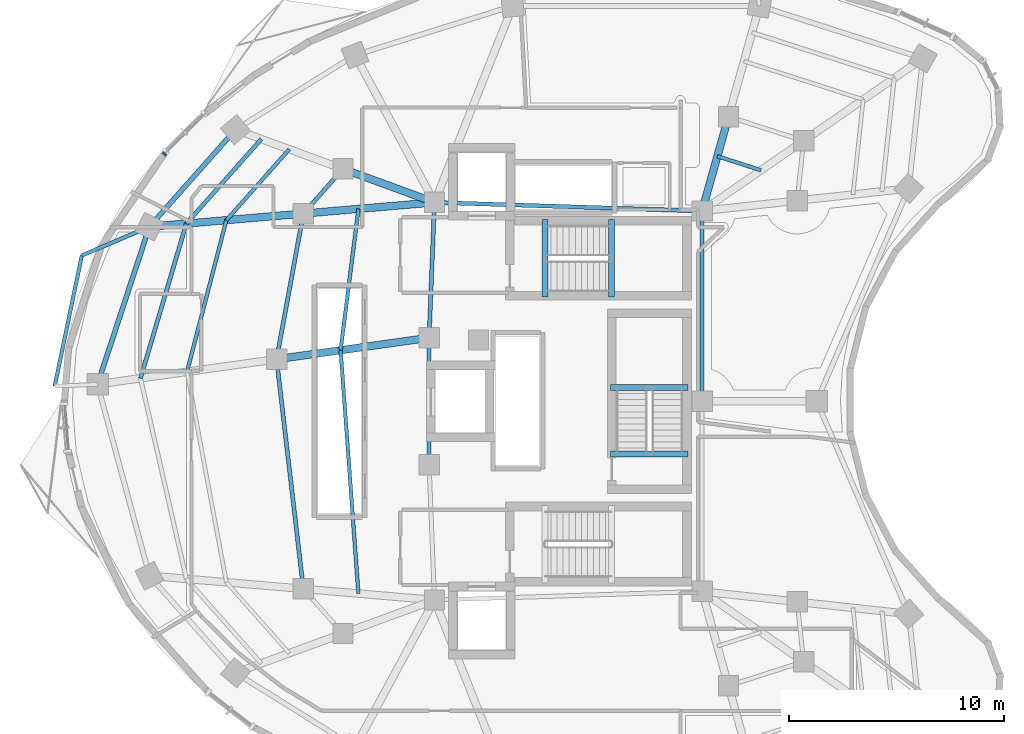
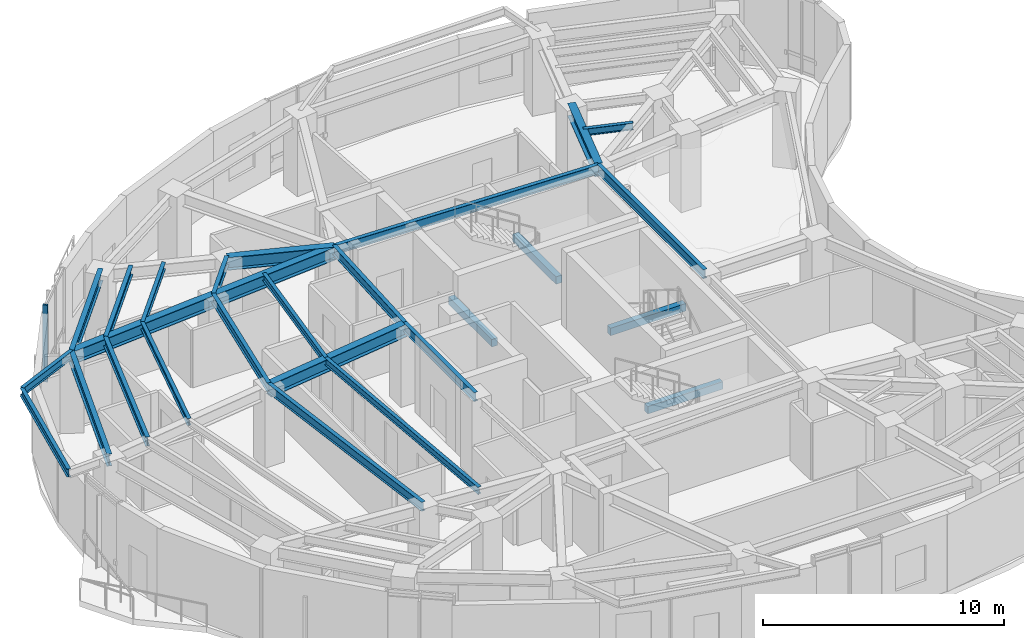
# One storey, part 3 of 13: 27 beams, 1 member, 1 element without a shape of its own.
"""IFC4 building model written with IfcOpenShell, lengths in metres."""

from ifc_helpers import new_model, si_unit, direction, frame, origin, origin_2d, place, context, subcontext, project, spatial, rectangle, i_section, extrude, material, layer, layer_set, material_profile, profile_set, type_object, element, aggregate, save


model = new_model("IFC4")

# Units and contexts
model_context = context("Model", 3, precision=1e-05, world=origin(), true_north=direction((0.0, 1.0)))
body_context = subcontext(model_context, "Body", "Model", "MODEL_VIEW")
ifc_project = project(units=[si_unit("LENGTHUNIT", "METRE"), si_unit("AREAUNIT", "SQUARE_METRE"), si_unit("VOLUMEUNIT", "CUBIC_METRE"), si_unit("PLANEANGLEUNIT", "RADIAN"), si_unit("MASSUNIT", "GRAM", prefix="KILO")], contexts=[model_context])

# Site, building, storey
site_placement = place(None, origin())
site = spatial("IfcSite", under=ifc_project, at=site_placement, CompositionType="ELEMENT")
building_placement = place(site_placement, origin())
building = spatial("IfcBuilding", under=site, at=building_placement, Name="Korentha Bioscience Tower", CompositionType="ELEMENT")
storey_placement = place(building_placement, frame((0.0, 0.0, 175.199951171875)))
storey = spatial("IfcBuildingStorey", under=building, at=storey_placement, Name="L40", CompositionType="ELEMENT", Elevation=175.199951171875)

# Beams
ifc_material_1 = material(Name="Concrete C50", Category="concrete")
ifc_material_profile_1 = material_profile(ifc_material_1, rectangle(XDim=0.280029296875, YDim=0.3798828125, at=origin_2d()), Name="Concrete C50")
ifc_profile_set_1 = profile_set([ifc_material_profile_1], Name="Concrete C50 (ST-HB380)")
beam_type_1 = type_object("IfcBeamType", Name="Concrete Stair Header Beam RC 280x380", PredefinedType="BEAM", material=ifc_profile_set_1)
for number, where, z_axis, x_axis, name in (
    (1, (30.25, 31.85009765625, -0.18994140625), (0.0, 1.0, 0.0), (-1.0, 0.0, 0.0), "L40 ST-1 Concrete Stair Header Beam"),
    (2, (33.330078125, 31.85009765625, 1.91015625), (0.0, 1.0, 0.0), (-1.0, 0.0, 0.0), "L40 ST-1 Half-Landing Header Beam 1"),
    (3, (36.89990234375, 24.550048828125, -0.18994140625), (-1.0, 0.0, 0.0), (0.0, -1.0, 0.0), "L40 ST-3 Concrete Stair Header Beam"),
    (4, (36.89990234375, 27.6298828125, 1.91015625), (-1.0, 0.0, 0.0), (0.0, -1.0, 0.0), "L40 ST-3 Half-Landing Header Beam 1"),
):
    element("IfcBeam", number, at=place(storey_placement, frame(where, z_axis=z_axis, x_axis=x_axis)), inside=storey, type_object=beam_type_1, Name=name, PredefinedType="BEAM", context=body_context, shape_type="SweptSolid", body=[
        extrude(rectangle(XDim=0.280029296875, YDim=0.3798828125, at=origin_2d()), origin(), (0.0, 0.0, 1.0), 3.599853515625),
    ])
ifc_material_2 = material(Name="Steel S355", Category="steel")
ifc_material_profile_2 = material_profile(ifc_material_2, i_section(OverallWidth=0.18994140625, OverallDepth=0.45703125, WebThickness=0.009033203125, FlangeThickness=0.014404296875, at=origin_2d()), Name="Steel S355")
ifc_profile_set_2 = profile_set([ifc_material_profile_2], Name="Steel S355 (MB-460)")
beam_type_2 = type_object("IfcBeamType", Name="Mid-Ring Tie Girder W460x74", PredefinedType="BEAM", material=ifc_profile_set_2)
beam_1_placement = place(storey_placement, frame((20.84228515625, 37.807861328125, 3.671630859375), z_axis=(-0.663512238321, -0.748165429299, 0.0), x_axis=(0.748165429299, -0.663512238321, 0.0)))
element("IfcBeam", 5, at=beam_1_placement, inside=storey, type_object=beam_type_2, Name="L40 Mid-Ring Tie Girder 05", PredefinedType="BEAM", context=body_context, shape_type="SweptSolid", body=[
    extrude(i_section(OverallWidth=0.18994140625, OverallDepth=0.45703125, WebThickness=0.009033203125, FlangeThickness=0.014404296875, at=origin_2d()), origin(), (0.0, 0.0, 1.0), 2.77734375),
])
beam_2_placement = place(storey_placement, frame((18.99951171875, 35.72998046875, 3.671630859375), z_axis=(-0.180880998363, -0.98350498953, 0.0), x_axis=(0.98350498953, -0.180880998363, 0.0)))
element("IfcBeam", 6, at=beam_2_placement, inside=storey, type_object=beam_type_2, Name="L40 Mid-Ring Tie Girder 06", PredefinedType="BEAM", context=body_context, shape_type="SweptSolid", body=[
    extrude(i_section(OverallWidth=0.18994140625, OverallDepth=0.45703125, WebThickness=0.009033203125, FlangeThickness=0.014404296875, at=origin_2d()), origin(), (0.0, 0.0, 1.0), 6.888916015625),
])
beam_3_placement = place(storey_placement, frame((17.75341796875, 28.95458984375, 3.671630859375), z_axis=(0.115840395246, -0.993267840428, 0.0), x_axis=(0.993267840428, 0.115840395246, 0.0)))
element("IfcBeam", 7, at=beam_3_placement, inside=storey, type_object=beam_type_2, Name="L40 Mid-Ring Tie Girder 07", PredefinedType="BEAM", context=body_context, shape_type="SweptSolid", body=[
    extrude(i_section(OverallWidth=0.18994140625, OverallDepth=0.45703125, WebThickness=0.009033203125, FlangeThickness=0.014404296875, at=origin_2d()), origin(), (0.0, 0.0, 1.0), 10.757080078125),
])
beam_4_placement = place(storey_placement, frame((37.550048828125, 35.85009765625, 3.671630859375), z_axis=(-0.999484526071, 0.032104238723, 0.0), x_axis=(-0.032104238723, -0.999484526071, 0.0)))
element("IfcBeam", 8, at=beam_4_placement, inside=storey, type_object=beam_type_2, Name="L40 Core Ring Tie Girder 01", PredefinedType="BEAM", context=body_context, shape_type="SweptSolid", body=[
    extrude(i_section(OverallWidth=0.18994140625, OverallDepth=0.45703125, WebThickness=0.009033203125, FlangeThickness=0.014404296875, at=origin_2d()), origin(), (0.0, 0.0, 1.0), 12.456298828125),
])
beam_5_placement = place(storey_placement, frame((25.10009765625, 36.25, 3.671630859375), z_axis=(-0.039651025576, -0.999213588864, 0.0), x_axis=(0.999213588864, -0.039651025576, 0.0)))
element("IfcBeam", 9, at=beam_5_placement, inside=storey, type_object=beam_type_2, Name="L40 Core Ring Tie Girder 02", PredefinedType="BEAM", context=body_context, shape_type="SweptSolid", body=[
    extrude(i_section(OverallWidth=0.18994140625, OverallDepth=0.45703125, WebThickness=0.009033203125, FlangeThickness=0.014404296875, at=origin_2d()), origin(), (0.0, 0.0, 1.0), 6.304931640625),
])
beam_6_placement = place(storey_placement, frame((24.85009765625, 29.949951171875, 3.671630859375), z_axis=(0.0, -1.0, 0.0), x_axis=(1.0, 0.0, 0.0)))
element("IfcBeam", 10, at=beam_6_placement, inside=storey, type_object=beam_type_2, Name="L40 Core Ring Tie Girder 03", PredefinedType="BEAM", context=body_context, shape_type="SweptSolid", body=[
    extrude(i_section(OverallWidth=0.18994140625, OverallDepth=0.45703125, WebThickness=0.009033203125, FlangeThickness=0.014404296875, at=origin_2d()), origin(), (0.0, 0.0, 1.0), 5.89990234375),
])
beam_7_placement = place(storey_placement, frame((37.550048828125, 27.0, 3.671630859375), z_axis=(0.0, 1.0, 0.0), x_axis=(-1.0, 0.0, 0.0)))
element("IfcBeam", 11, at=beam_7_placement, inside=storey, type_object=beam_type_2, Name="L40 Core Ring Tie Girder 07", PredefinedType="BEAM", context=body_context, shape_type="SweptSolid", body=[
    extrude(i_section(OverallWidth=0.18994140625, OverallDepth=0.45703125, WebThickness=0.009033203125, FlangeThickness=0.014404296875, at=origin_2d()), origin(), (0.0, 0.0, 1.0), 8.85009765625),
])

# Curtain wall, member
ifc_material_3 = material(Name="Thermally Broken Aluminium Frame", Category="aluminium")
ifc_layer = layer(ifc_material_3, 0.219970703125, Name="Thermally Broken Aluminium Frame")
ifc_layer_set = layer_set([ifc_layer], Name="Thermally Broken Aluminium Frame (CW-T2)")
curtain_wall_type = type_object("IfcCurtainWallType", Name="Solar-Screened Lab Unitised Curtain Wall CW-T2", PredefinedType="USERDEFINED", material=ifc_layer_set)
curtain_wall_placement = place(storey_placement, origin())
curtain_wall = element("IfcCurtainWall", 12, at=curtain_wall_placement, inside=storey, type_object=curtain_wall_type, Name="L40 Curtain Wall 13", ObjectType="UNITISED", PredefinedType="USERDEFINED")
ifc_material_4 = material(Name="Anodised Aluminium 6063-T6", Category="aluminium")
ifc_material_profile_3 = material_profile(ifc_material_4, rectangle(XDim=0.090087890625, YDim=0.199951171875, at=origin_2d()), Name="Anodised Aluminium 6063-T6")
ifc_profile_set_3 = profile_set([ifc_material_profile_3], Name="Anodised Aluminium 6063-T6 (CW-MUL)")
member_type = type_object("IfcMemberType", Name="Mullion RECT 90x200", PredefinedType="MULLION", material=ifc_profile_set_3)
member_placement = place(storey_placement, frame((12.53515625, 38.502685546875, 0.0), z_axis=(0.0, 0.0, 1.0), x_axis=(-0.711460557971, -0.702726030862, 0.0)))
member = element("IfcMember", 13, at=member_placement, type_object=member_type, Name="CW-L40-13 Mullion 3", PredefinedType="MULLION", context=body_context, shape_type="SweptSolid", body=[
    extrude(rectangle(XDim=0.090087890625, YDim=0.199951171875, at=origin_2d()), origin(), (0.0, 0.0, 1.0), 3.900146484375),
])
aggregate(curtain_wall, [member])

# Beams
ifc_material_profile_4 = material_profile(ifc_material_2, i_section(OverallWidth=0.22802734375, OverallDepth=0.60791015625, WebThickness=0.01123046875, FlangeThickness=0.017333984375, at=origin_2d()), Name="Steel S355")
ifc_profile_set_4 = profile_set([ifc_material_profile_4], Name="Steel S355 (SB-610)")
beam_type_3 = type_object("IfcBeamType", Name="Perimeter Ring Spandrel Girder W610x113", PredefinedType="SPANDREL", material=ifc_profile_set_4)
beam_8_placement = place(storey_placement, frame((15.843994140625, 39.63671875, 3.595947265625), z_axis=(-0.663502544942, -0.748174025782, 0.0), x_axis=(0.748174025782, -0.663502544942, 0.0)))
element("IfcBeam", 14, at=beam_8_placement, inside=storey, type_object=beam_type_3, Name="L40 Perimeter Spandrel Girder 05", PredefinedType="SPANDREL", context=body_context, shape_type="SweptSolid", body=[
    extrude(i_section(OverallWidth=0.22802734375, OverallDepth=0.60791015625, WebThickness=0.01123046875, FlangeThickness=0.017333984375, at=origin_2d()), origin(), (0.0, 0.0, 1.0), 6.037841796875),
])
beam_9_placement = place(storey_placement, frame((11.837890625, 35.119384765625, 3.595947265625), z_axis=(-0.312820215824, -0.949812356506, 0.0), x_axis=(0.949812356506, -0.312820215824, 0.0)))
element("IfcBeam", 15, at=beam_9_placement, inside=storey, type_object=beam_type_3, Name="L40 Perimeter Spandrel Girder 06", PredefinedType="SPANDREL", context=body_context, shape_type="SweptSolid", body=[
    extrude(i_section(OverallWidth=0.22802734375, OverallDepth=0.60791015625, WebThickness=0.01123046875, FlangeThickness=0.017333984375, at=origin_2d()), origin(), (0.0, 0.0, 1.0), 7.720947265625),
])
ifc_material_profile_5 = material_profile(ifc_material_2, i_section(OverallWidth=0.18994140625, OverallDepth=0.45703125, WebThickness=0.009033203125, FlangeThickness=0.014404296875, at=origin_2d()), Name="Steel S355")
ifc_profile_set_5 = profile_set([ifc_material_profile_5], Name="Steel S355 (RB-460)")
beam_type_4 = type_object("IfcBeamType", Name="Radial Laboratory Beam W460x74", PredefinedType="BEAM", material=ifc_profile_set_5)
beam_10_placement = place(storey_placement, frame((17.043701171875, 39.197998046875, 3.671630859375), z_axis=(-0.663495511182, -0.748180263467, 0.0), x_axis=(0.748180263467, -0.663495511182, 0.0)))
element("IfcBeam", 16, at=beam_10_placement, inside=storey, type_object=beam_type_4, Name="L40 Secondary Floor Beam JSTO-05", PredefinedType="BEAM", context=body_context, shape_type="SweptSolid", body=[
    extrude(i_section(OverallWidth=0.18994140625, OverallDepth=0.45703125, WebThickness=0.009033203125, FlangeThickness=0.014404296875, at=origin_2d()), origin(), (0.0, 0.0, 1.0), 5.255615234375),
])
beam_11_placement = place(storey_placement, frame((13.556640625, 35.265869140625, 3.671630859375), z_axis=(-0.284283148615, -0.958740367051, 0.0), x_axis=(0.958740367051, -0.284283148615, 0.0)))
element("IfcBeam", 17, at=beam_11_placement, inside=storey, type_object=beam_type_4, Name="L40 Secondary Floor Beam JSTO-06", PredefinedType="BEAM", context=body_context, shape_type="SweptSolid", body=[
    extrude(i_section(OverallWidth=0.18994140625, OverallDepth=0.45703125, WebThickness=0.009033203125, FlangeThickness=0.014404296875, at=origin_2d()), origin(), (0.0, 0.0, 1.0), 7.50927734375),
])
ifc_material_profile_6 = material_profile(ifc_material_2, i_section(OverallWidth=0.35009765625, OverallDepth=0.64990234375, WebThickness=0.01611328125, FlangeThickness=0.02490234375, at=origin_2d()), Name="Steel S355")
ifc_profile_set_6 = profile_set([ifc_material_profile_6], Name="Steel S355 (RB-650)")
beam_type_5 = type_object("IfcBeamType", Name="Radial Laboratory Girder CVS 650x208", PredefinedType="BEAM", material=ifc_profile_set_6)
beam_12_placement = place(storey_placement, frame((37.550048828125, 35.85009765625, 3.574951171875), z_axis=(0.269477001654, 0.963006825303, 0.0), x_axis=(-0.963006825303, 0.269477001654, 0.0)))
element("IfcBeam", 18, at=beam_12_placement, inside=storey, type_object=beam_type_5, Name="L40 Inner Radial Girder 02", PredefinedType="BEAM", context=body_context, shape_type="SweptSolid", body=[
    extrude(i_section(OverallWidth=0.35009765625, OverallDepth=0.64990234375, WebThickness=0.01611328125, FlangeThickness=0.02490234375, at=origin_2d()), origin(), (0.0, 0.0, 1.0), 4.559814453125),
])
beam_13_placement = place(storey_placement, frame((25.10009765625, 36.25, 3.574951171875), z_axis=(-0.939113952431, 0.343605856105, 0.0), x_axis=(-0.343605856105, -0.939113952431, 0.0)))
element("IfcBeam", 19, at=beam_13_placement, inside=storey, type_object=beam_type_5, Name="L40 Inner Radial Girder 05", PredefinedType="BEAM", context=body_context, shape_type="SweptSolid", body=[
    extrude(i_section(OverallWidth=0.35009765625, OverallDepth=0.64990234375, WebThickness=0.01611328125, FlangeThickness=0.02490234375, at=origin_2d()), origin(), (0.0, 0.0, 1.0), 4.533935546875),
])
beam_14_placement = place(storey_placement, frame((25.10009765625, 36.25, 3.574951171875), z_axis=(-0.996386672138, -0.084932912264, 0.0), x_axis=(0.084932912264, -0.996386672138, 0.0)))
element("IfcBeam", 20, at=beam_14_placement, inside=storey, type_object=beam_type_5, Name="L40 Inner Radial Girder 06", PredefinedType="BEAM", context=body_context, shape_type="SweptSolid", body=[
    extrude(i_section(OverallWidth=0.35009765625, OverallDepth=0.64990234375, WebThickness=0.01611328125, FlangeThickness=0.02490234375, at=origin_2d()), origin(), (0.0, 0.0, 1.0), 6.122802734375),
])
beam_15_placement = place(storey_placement, frame((18.99951171875, 35.72998046875, 3.574951171875), z_axis=(-0.996385111181, -0.084951222577, 0.0), x_axis=(0.084951222577, -0.996385111181, 0.0)))
element("IfcBeam", 21, at=beam_15_placement, inside=storey, type_object=beam_type_5, Name="L40 Outer Radial Girder 06", PredefinedType="BEAM", context=body_context, shape_type="SweptSolid", body=[
    extrude(i_section(OverallWidth=0.35009765625, OverallDepth=0.64990234375, WebThickness=0.01611328125, FlangeThickness=0.02490234375, at=origin_2d()), origin(), (0.0, 0.0, 1.0), 7.1875),
])
beam_16_placement = place(storey_placement, frame((24.85009765625, 29.949951171875, 3.574951171875), z_axis=(-0.990306724295, -0.138897774699, 0.0), x_axis=(0.138897774699, -0.990306724295, 0.0)))
element("IfcBeam", 22, at=beam_16_placement, inside=storey, type_object=beam_type_5, Name="L40 Inner Radial Girder 07", PredefinedType="BEAM", context=body_context, shape_type="SweptSolid", body=[
    extrude(i_section(OverallWidth=0.35009765625, OverallDepth=0.64990234375, WebThickness=0.01611328125, FlangeThickness=0.02490234375, at=origin_2d()), origin(), (0.0, 0.0, 1.0), 7.166259765625),
])
ifc_material_profile_7 = material_profile(ifc_material_2, i_section(OverallWidth=0.1708984375, OverallDepth=0.35498046875, WebThickness=0.007080078125, FlangeThickness=0.01171875, at=origin_2d()), Name="Steel S355")
ifc_profile_set_7 = profile_set([ifc_material_profile_7], Name="Steel S355 (JB-360)")
beam_type_6 = type_object("IfcBeamType", Name="Secondary Laboratory Joist W360x51", PredefinedType="JOIST", material=ifc_profile_set_7)
beam_17_placement = place(storey_placement, frame((40.290283203125, 37.7451171875, 3.72265625), z_axis=(-0.952010669267, 0.306064838885, 0.0), x_axis=(-0.306064838885, -0.952010669267, 0.0)))
element("IfcBeam", 23, at=beam_17_placement, inside=storey, type_object=beam_type_6, Name="L40 Inner Bay Joist 01", PredefinedType="JOIST", context=body_context, shape_type="SweptSolid", body=[
    extrude(i_section(OverallWidth=0.1708984375, OverallDepth=0.35498046875, WebThickness=0.007080078125, FlangeThickness=0.01171875, at=origin_2d()), origin(), (0.0, 0.0, 1.0), 2.1298828125),
])
beam_18_placement = place(storey_placement, frame((18.343017578125, 38.722412109375, 3.72265625), z_axis=(-0.663462598754, -0.748209449322, 0.0), x_axis=(0.748209449322, -0.663462598754, 0.0)))
element("IfcBeam", 24, at=beam_18_placement, inside=storey, type_object=beam_type_6, Name="L40 Secondary Floor Beam JST-05", PredefinedType="JOIST", context=body_context, shape_type="SweptSolid", body=[
    extrude(i_section(OverallWidth=0.1708984375, OverallDepth=0.35498046875, WebThickness=0.007080078125, FlangeThickness=0.01171875, at=origin_2d()), origin(), (0.0, 0.0, 1.0), 4.40771484375),
])
beam_19_placement = place(storey_placement, frame((15.418701171875, 35.424560546875, 3.72265625), z_axis=(-0.251203958933, -0.967934177006, 0.0), x_axis=(0.967934177006, -0.251203958933, 0.0)))
element("IfcBeam", 25, at=beam_19_placement, inside=storey, type_object=beam_type_6, Name="L40 Secondary Floor Beam JST-06", PredefinedType="JOIST", context=body_context, shape_type="SweptSolid", body=[
    extrude(i_section(OverallWidth=0.1708984375, OverallDepth=0.35498046875, WebThickness=0.007080078125, FlangeThickness=0.01171875, at=origin_2d()), origin(), (0.0, 0.0, 1.0), 7.2880859375),
])
beam_20_placement = place(storey_placement, frame((21.561767578125, 35.9482421875, 3.72265625), z_axis=(-0.124914239886, -0.992167542643, 0.0), x_axis=(0.992167542643, -0.124914239886, 0.0)))
element("IfcBeam", 26, at=beam_20_placement, inside=storey, type_object=beam_type_6, Name="L40 Inner Bay Joist 06", PredefinedType="JOIST", context=body_context, shape_type="SweptSolid", body=[
    extrude(i_section(OverallWidth=0.1708984375, OverallDepth=0.35498046875, WebThickness=0.007080078125, FlangeThickness=0.01171875, at=origin_2d()), origin(), (0.0, 0.0, 1.0), 6.627685546875),
])
beam_21_placement = place(storey_placement, frame((20.73388671875, 29.37255859375, 3.72265625), z_axis=(0.072934416258, -0.997336738983, 0.0), x_axis=(0.997336738983, 0.072934416258, 0.0)))
element("IfcBeam", 27, at=beam_21_placement, inside=storey, type_object=beam_type_6, Name="L40 Inner Bay Joist 07", PredefinedType="JOIST", context=body_context, shape_type="SweptSolid", body=[
    extrude(i_section(OverallWidth=0.1708984375, OverallDepth=0.35498046875, WebThickness=0.007080078125, FlangeThickness=0.01171875, at=origin_2d()), origin(), (0.0, 0.0, 1.0), 11.35107421875),
])
ifc_material_profile_8 = material_profile(ifc_material_2, i_section(OverallWidth=0.177978515625, OverallDepth=0.406982421875, WebThickness=0.0078125, FlangeThickness=0.0126953125, at=origin_2d()), Name="Steel S355")
ifc_profile_set_8 = profile_set([ifc_material_profile_8], Name="Steel S355 (CB-410)")
beam_type_7 = type_object("IfcBeamType", Name="Sun-Ledge Cantilever Beam W410x60", PredefinedType="BEAM", material=ifc_profile_set_8)
beam_22_placement = place(storey_placement, frame((11.837890625, 35.119384765625, 3.698486328125), z_axis=(-0.920106971174, -0.391667156648, 0.0), x_axis=(0.391667156648, -0.920106971174, 0.0)))
element("IfcBeam", 28, at=beam_22_placement, inside=storey, type_object=beam_type_7, Name="L40 Balcony Cantilever Bracket A-L41-02", PredefinedType="BEAM", context=body_context, shape_type="SweptSolid", body=[
    extrude(i_section(OverallWidth=0.177978515625, OverallDepth=0.406982421875, WebThickness=0.0078125, FlangeThickness=0.0126953125, at=origin_2d()), origin(), (0.0, 0.0, 1.0), 3.41650390625),
])
beam_23_placement = place(storey_placement, frame((8.6943359375, 33.78125, 3.698486328125), z_axis=(-0.203313854561, -0.979113617791, 0.0), x_axis=(0.979113617791, -0.203313854561, 0.0)))
element("IfcBeam", 29, at=beam_23_placement, inside=storey, type_object=beam_type_7, Name="L40 Balcony Edge Trimmer Beam L41-02", PredefinedType="BEAM", context=body_context, shape_type="SweptSolid", body=[
    extrude(i_section(OverallWidth=0.177978515625, OverallDepth=0.406982421875, WebThickness=0.0078125, FlangeThickness=0.0126953125, at=origin_2d()), origin(), (0.0, 0.0, 1.0), 6.211669921875),
])

save(model, "model.ifc")
